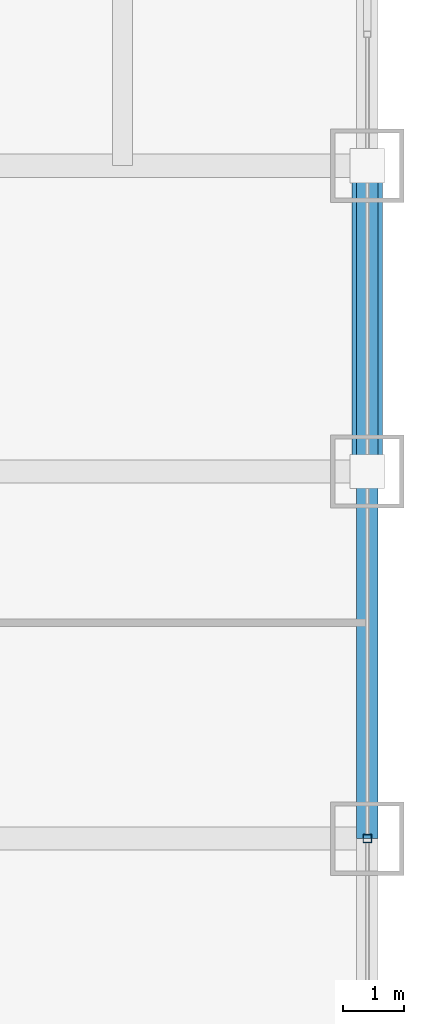
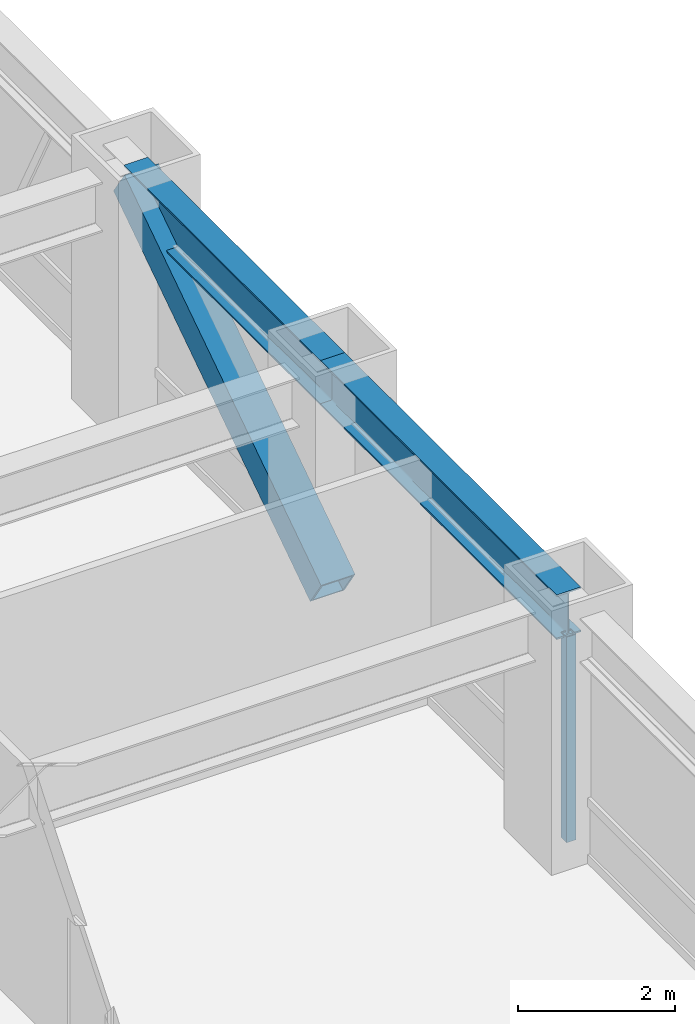
# One storey, part 14 of 32: 2 beams, 2 members, 1 element without a shape of its own.
"""IFC4 building model written with IfcOpenShell, lengths in metres."""

from ifc_helpers import new_model, si_unit, direction, frame, origin, origin_2d, place, context, subcontext, project, spatial, hollow_rectangle, i_section, extrude, source, transform, mapped, material, material_profile, profile_set, type_object, element, aggregate, save


model = new_model("IFC4")

# Units and contexts
model_context = context("Model", 3, precision=1e-05, world=origin(), true_north=direction((0.0, 1.0)))
body_context = subcontext(model_context, "Body", "Model", "MODEL_VIEW")
ifc_project = project(units=[si_unit("LENGTHUNIT", "METRE"), si_unit("AREAUNIT", "SQUARE_METRE"), si_unit("VOLUMEUNIT", "CUBIC_METRE"), si_unit("PLANEANGLEUNIT", "RADIAN"), si_unit("MASSUNIT", "GRAM", prefix="KILO")], contexts=[model_context])

# Site, building, storey
site_placement = place(None, origin())
site = spatial("IfcSite", under=ifc_project, at=site_placement, CompositionType="ELEMENT")
building_placement = place(site_placement, origin())
building = spatial("IfcBuilding", under=site, at=building_placement, Name="Khorayat Bourse Tower", CompositionType="ELEMENT")
storey_placement = place(building_placement, frame((0.0, 0.0, 128.300048828125)))
storey = spatial("IfcBuildingStorey", under=building, at=storey_placement, Name="L29", CompositionType="ELEMENT", Elevation=128.300048828125)

# Beams
ifc_material_1 = material(Name="Steel ASTM A992 Grade 50", Category="steel")
ifc_material_profile_1 = material_profile(ifc_material_1, i_section(OverallWidth=0.35498046875, OverallDepth=0.695068359375, WebThickness=0.015380859375, FlangeThickness=0.02490234375, FilletRadius=0.01806640625, at=origin_2d()), Name="W690X217")
ifc_profile_set_1 = profile_set([ifc_material_profile_1], Name="Steel ASTM A992 Grade 50")
beam_type = type_object("IfcBeamType", Name="BM-SPAN-690", PredefinedType="SPANDREL", material=ifc_profile_set_1)
shared_shape_1 = source(origin(), body_context, "Body", "SweptSolid", [
    extrude(i_section(OverallWidth=0.35498046875, OverallDepth=0.695068359375, WebThickness=0.015380859375, FlangeThickness=0.02490234375, FilletRadius=0.01806640625, at=origin_2d()), origin(), (0.0, 0.0, 1.0), 5.0),
])
beam_1_placement = place(storey_placement, frame((32.0, 6.0, 3.492431640625), z_axis=(0.0, 1.0, 0.0), x_axis=(-1.0, 0.0, 0.0)))
element("IfcBeam", 1, at=beam_1_placement, inside=storey, type_object=beam_type, Name="L29 BM-SPAN-690 BM-L29-SPN-039", PredefinedType="SPANDREL", context=body_context, shape_type="MappedRepresentation", body=[
    mapped(shared_shape_1, transform((0.0, 0.0, 0.0), scale=1.0)),
])
shared_shape_2 = source(origin(), body_context, "Body", "SweptSolid", [
    extrude(i_section(OverallWidth=0.35498046875, OverallDepth=0.695068359375, WebThickness=0.015380859375, FlangeThickness=0.02490234375, FilletRadius=0.01806640625, at=origin_2d()), origin(), (0.0, 0.0, 1.0), 6.0),
])
beam_2_placement = place(storey_placement, frame((32.0, 0.0, 3.492431640625), z_axis=(0.0, 1.0, 0.0), x_axis=(-1.0, 0.0, 0.0)))
element("IfcBeam", 2, at=beam_2_placement, inside=storey, type_object=beam_type, Name="L29 BM-SPAN-690 BM-L29-SPN-038", PredefinedType="SPANDREL", context=body_context, shape_type="MappedRepresentation", body=[
    mapped(shared_shape_2, transform((0.0, 0.0, 0.0), scale=1.0)),
])

# Member
ifc_material_2 = material(Name="Steel EN 10025-4 S460M", Category="steel")
ifc_material_profile_2 = material_profile(ifc_material_2, hollow_rectangle(XDim=0.5, YDim=0.5, WallThickness=0.028076171875, at=origin_2d()), Name="HSS 500x500x28")
ifc_profile_set_2 = profile_set([ifc_material_profile_2], Name="Steel EN 10025-4 S460M")
member_type_1 = type_object("IfcMemberType", Name="MBR-TUBE-500", PredefinedType="BRACE", material=ifc_profile_set_2)
shared_shape_3 = source(origin(), body_context, "Body", "SweptSolid", [
    extrude(hollow_rectangle(XDim=0.5, YDim=0.5, WallThickness=0.028076171875, at=origin_2d()), origin(), (0.0, 0.0, 1.0), 6.012939453125),
])
member_1_placement = place(storey_placement, frame((32.0, 6.0, 0.25), z_axis=(0.0, 0.831550226979, 0.555449565677), x_axis=(-1.0, 0.0, 0.0)))
element("IfcMember", 3, at=member_1_placement, inside=storey, type_object=member_type_1, Name="L29 Perimeter Tube Brace 08", PredefinedType="BRACE", context=body_context, shape_type="MappedRepresentation", body=[
    mapped(shared_shape_3, transform((0.0, 0.0, 0.0), scale=1.0)),
])

# Curtain wall, member
ifc_material_3 = material(Name="Aluminium EN AW-6063 T6", Category="aluminium")
curtain_wall_type = type_object("IfcCurtainWallType", Name="CW-SYS-02", PredefinedType="NOTDEFINED", material=ifc_material_3)
curtain_wall_placement = place(storey_placement, origin())
curtain_wall = element("IfcCurtainWall", 4, at=curtain_wall_placement, inside=storey, type_object=curtain_wall_type, Name="L29 Curtain Wall CW-L29-E1", PredefinedType="NOTDEFINED")
ifc_material_profile_3 = material_profile(ifc_material_3, hollow_rectangle(XDim=0.139892578125, YDim=0.139892578125, WallThickness=0.006103515625, at=origin_2d()), Name="ALU 140x140x6")
ifc_profile_set_3 = profile_set([ifc_material_profile_3], Name="Aluminium EN AW-6063 T6")
member_type_2 = type_object("IfcMemberType", Name="CWM-VERT-140", PredefinedType="MULLION", material=ifc_profile_set_3)
shared_shape_4 = source(origin(), body_context, "Body", "SweptSolid", [
    extrude(hollow_rectangle(XDim=0.139892578125, YDim=0.139892578125, WallThickness=0.006103515625, at=origin_2d()), origin(), (0.0, 0.0, 1.0), 3.18994140625),
])
member_2_placement = place(storey_placement, frame((32.0, 0.0, 0.0), z_axis=(0.0, 0.0, 1.0), x_axis=(-1.0, 0.0, 0.0)))
member_2 = element("IfcMember", 5, at=member_2_placement, type_object=member_type_2, Name="CW-L29-E1 Vertical Mullion 2", PredefinedType="MULLION", context=body_context, shape_type="MappedRepresentation", body=[
    mapped(shared_shape_4, transform((0.0, 0.0, 0.0), scale=1.0)),
])
aggregate(curtain_wall, [member_2])

save(model, "model.ifc")
